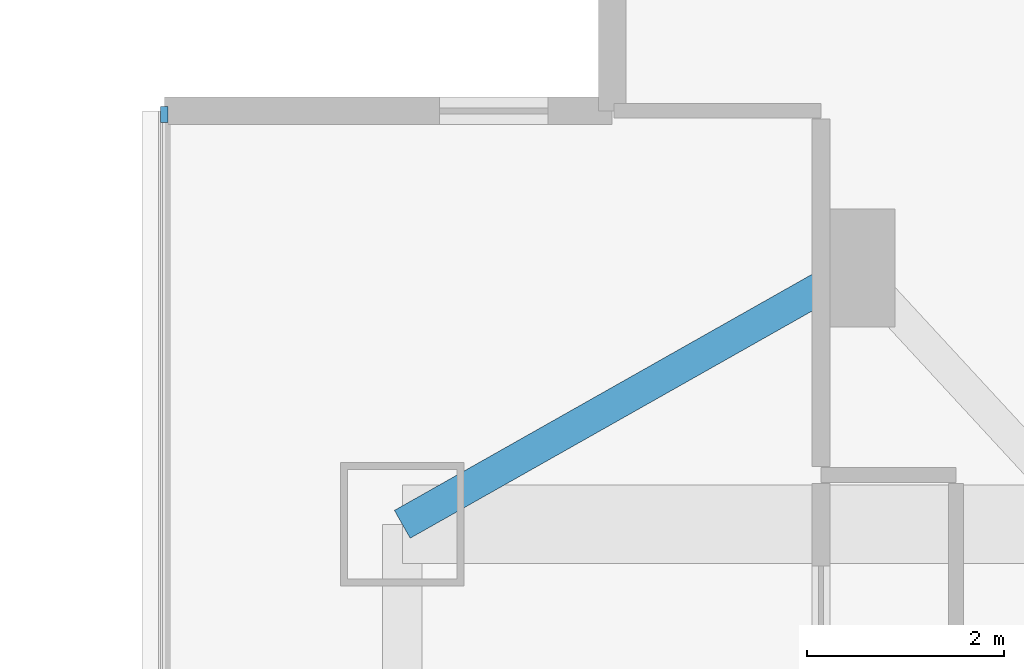
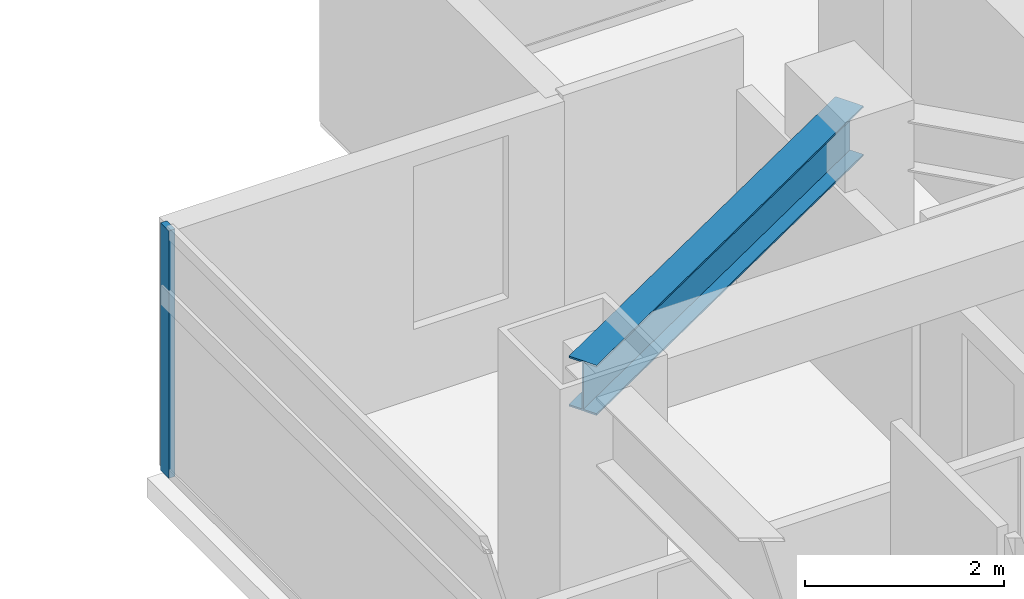
# One storey, part 6 of 25: 1 beam, 1 member, 1 element without a shape of its own.
"""IFC4 building model written with IfcOpenShell, lengths in metres."""

from ifc_helpers import new_model, si_unit, direction, frame, origin, origin_2d, place, context, subcontext, project, spatial, rectangle, i_section, extrude, material, material_profile, profile_set, type_object, element, aggregate, save


model = new_model("IFC4")

# Units and contexts
model_context = context("Model", 3, precision=1e-05, world=origin(), true_north=direction((0.0, 1.0)))
body_context = subcontext(model_context, "Body", "Model", "MODEL_VIEW")
ifc_project = project(units=[si_unit("LENGTHUNIT", "METRE"), si_unit("AREAUNIT", "SQUARE_METRE"), si_unit("VOLUMEUNIT", "CUBIC_METRE"), si_unit("PLANEANGLEUNIT", "RADIAN"), si_unit("MASSUNIT", "GRAM", prefix="KILO")], contexts=[model_context])

# Site, building, storey
site_placement = place(None, origin())
site = spatial("IfcSite", under=ifc_project, at=site_placement, CompositionType="ELEMENT")
building_placement = place(site_placement, origin())
building = spatial("IfcBuilding", under=site, at=building_placement, Name="Mirazonda Arch Towers", CompositionType="ELEMENT")
storey_placement = place(building_placement, frame((0.0, 0.0, 58.699951171875)))
storey = spatial("IfcBuildingStorey", under=building, at=storey_placement, Name="L16", CompositionType="ELEMENT", Elevation=58.699951171875)

# Beam
ifc_material_1 = material(Name="Steel ASTM A992 Grade 50", Category="steel")
ifc_material_profile_1 = material_profile(ifc_material_1, i_section(OverallWidth=0.324951171875, OverallDepth=0.615966796875, WebThickness=0.013916015625, FlangeThickness=0.021484375, at=origin_2d()), Name="W24X117")
ifc_profile_set_1 = profile_set([ifc_material_profile_1], Name="Steel ASTM A992 Grade 50")
beam_type = type_object("IfcBeamType", Name="BM-INT-W24X117", PredefinedType="BEAM", material=ifc_profile_set_1)
beam_placement = place(storey_placement, frame((65.60009765625, 37.800048828125, 2.751953125), z_axis=(-0.870559396632, -0.492063346467, 0.0), x_axis=(0.492063346467, -0.870559396632, 0.0)))
element("IfcBeam", 1, at=beam_placement, inside=storey, type_object=beam_type, Name="L16 Floor Beam BM-T2-L16-PL-NW2", PredefinedType="BEAM", context=body_context, shape_type="SweptSolid", body=[
    extrude(i_section(OverallWidth=0.324951171875, OverallDepth=0.615966796875, WebThickness=0.013916015625, FlangeThickness=0.021484375, at=origin_2d()), origin(), (0.0, 0.0, 1.0), 5.2841796875),
])

# Curtain wall, member
ifc_material_2 = material(Name="Anodised Aluminium and Low-E Glass", Category="aluminium")
curtain_wall_type = type_object("IfcCurtainWallType", Name="CW-HTL-UNIT", PredefinedType="NOTDEFINED", material=ifc_material_2)
curtain_wall_placement = place(storey_placement, origin())
curtain_wall = element("IfcCurtainWall", 2, at=curtain_wall_placement, inside=storey, type_object=curtain_wall_type, Name="L16 T2 W Facade CW-L16-T2-W", PredefinedType="NOTDEFINED")
ifc_material_3 = material(Name="Anodised Aluminium Alloy", Category="aluminium")
ifc_material_profile_2 = material_profile(ifc_material_3, rectangle(XDim=0.074951171875, YDim=0.1650390625, at=origin_2d()), Name="ALU-MULL-75x165")
ifc_profile_set_2 = profile_set([ifc_material_profile_2], Name="Anodised Aluminium Alloy")
member_type = type_object("IfcMemberType", Name="MULL-CW-HTL-UNIT", PredefinedType="MULLION", material=ifc_profile_set_2)
member_placement = place(storey_placement, frame((58.583984375, 39.359130859375, 0.0), z_axis=(0.0, 0.0, 1.0), x_axis=(1.0, 0.0, 0.0)))
member = element("IfcMember", 3, at=member_placement, type_object=member_type, Name="CW-112 mullion 1", PredefinedType="MULLION", context=body_context, shape_type="SweptSolid", body=[
    extrude(rectangle(XDim=0.074951171875, YDim=0.1650390625, at=origin_2d()), origin(), (0.0, 0.0, 1.0), 3.0400390625),
])
aggregate(curtain_wall, [member])

save(model, "model.ifc")
